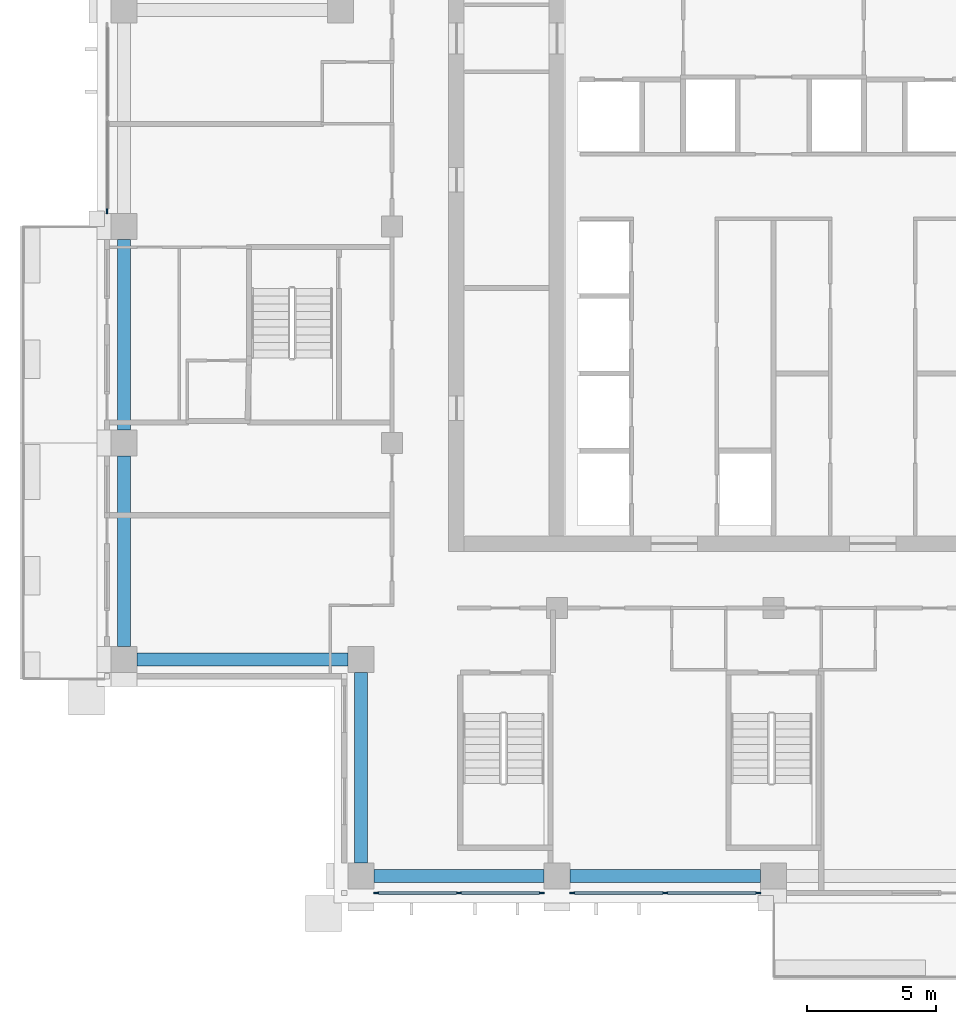
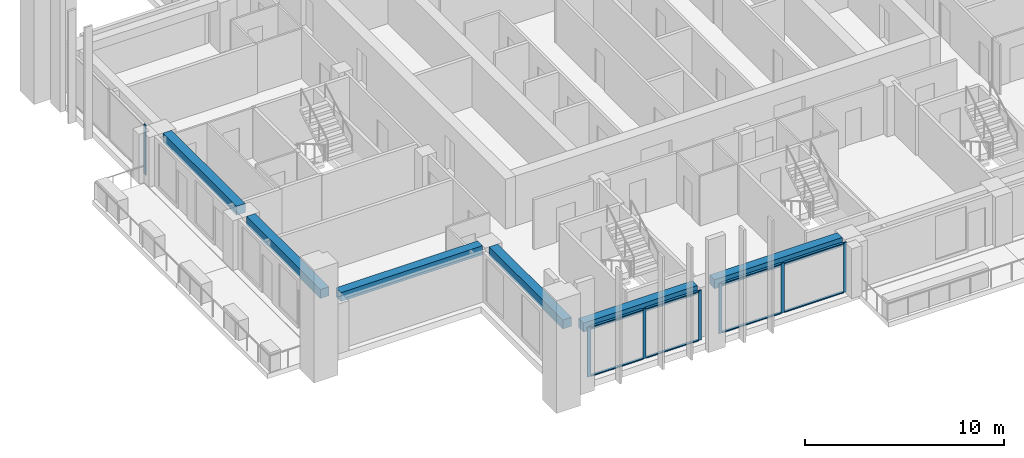
# One storey, part 2 of 18: 15 members, 6 beams, 3 elements without a shape of their own.
"""IFC4 building model written with IfcOpenShell, lengths in metres."""

from ifc_helpers import new_model, si_unit, direction, frame, origin, origin_2d, place, context, subcontext, project, spatial, rectangle, extrude, material, material_profile, profile_set, type_object, element, aggregate, save


model = new_model("IFC4")

# Units and contexts
model_context = context("Model", 3, precision=1e-05, world=origin(), true_north=direction((0.0, 1.0)))
body_context = subcontext(model_context, "Body", "Model", "MODEL_VIEW")
ifc_project = project(units=[si_unit("LENGTHUNIT", "METRE"), si_unit("AREAUNIT", "SQUARE_METRE"), si_unit("VOLUMEUNIT", "CUBIC_METRE"), si_unit("PLANEANGLEUNIT", "RADIAN"), si_unit("MASSUNIT", "GRAM", prefix="KILO")], contexts=[model_context])

# Site, building, storey
site_placement = place(None, origin())
site = spatial("IfcSite", under=ifc_project, at=site_placement, CompositionType="ELEMENT")
building_placement = place(site_placement, origin())
building = spatial("IfcBuilding", under=site, at=building_placement, Name="Vermilion Ogive Tower", CompositionType="ELEMENT")
storey_placement = place(building_placement, frame((0.0, 0.0, 199.699951171875)))
storey = spatial("IfcBuildingStorey", under=building, at=storey_placement, Name="L52", CompositionType="ELEMENT", Elevation=199.699951171875)

# Curtain wall, members
ifc_material_1 = material(Name="Low-iron laminated glazing in aluminium frame", Category="aluminium")
curtain_wall_type = type_object("IfcCurtainWallType", Name="Curtain wall CW7", PredefinedType="NOTDEFINED", material=ifc_material_1)
curtain_wall_1_placement = place(storey_placement, origin())
curtain_wall_1 = element("IfcCurtainWall", 1, at=curtain_wall_1_placement, inside=storey, type_object=curtain_wall_type, Name="Glazed skin S1", PredefinedType="NOTDEFINED")
ifc_material_2 = material(Name="Aluminium mullion", Category="aluminium")
ifc_material_profile_1 = material_profile(ifc_material_2, rectangle(XDim=0.06005859375, YDim=0.179931640625, at=origin_2d()), Name="AL 60x180")
ifc_profile_set_1 = profile_set([ifc_material_profile_1], Name="Aluminium mullion")
member_type_1 = type_object("IfcMemberType", Name="CW7 mullion 60x180", PredefinedType="MULLION", material=ifc_profile_set_1)
member_1_placement = place(storey_placement, frame((-15.409912109375, -21.64990234375, 0.0), z_axis=(0.0, 0.0, 1.0), x_axis=(0.0, 1.0, 0.0)))
member_1 = element("IfcMember", 2, at=member_1_placement, type_object=member_type_1, Name="CW7-S1 mullion 1", PredefinedType="MULLION", context=body_context, shape_type="SweptSolid", body=[
    extrude(rectangle(XDim=0.06005859375, YDim=0.179931640625, at=origin_2d()), origin(), (0.0, 0.0, 1.0), 3.050048828125),
])
member_2_placement = place(storey_placement, frame((-12.199951171875, -21.64990234375, 0.0), z_axis=(0.0, 0.0, 1.0), x_axis=(0.0, 1.0, 0.0)))
member_2 = element("IfcMember", 3, at=member_2_placement, type_object=member_type_1, Name="CW7-S1 mullion 2", PredefinedType="MULLION", context=body_context, shape_type="SweptSolid", body=[
    extrude(rectangle(XDim=0.06005859375, YDim=0.179931640625, at=origin_2d()), origin(), (0.0, 0.0, 1.0), 3.050048828125),
])
member_3_placement = place(storey_placement, frame((-8.989990234375, -21.64990234375, 0.0), z_axis=(0.0, 0.0, 1.0), x_axis=(0.0, 1.0, 0.0)))
member_3 = element("IfcMember", 4, at=member_3_placement, type_object=member_type_1, Name="CW7-S1 mullion 3", PredefinedType="MULLION", context=body_context, shape_type="SweptSolid", body=[
    extrude(rectangle(XDim=0.06005859375, YDim=0.179931640625, at=origin_2d()), origin(), (0.0, 0.0, 1.0), 3.050048828125),
])

curtain_wall_2_placement = place(storey_placement, origin())
curtain_wall_2 = element("IfcCurtainWall", 5, at=curtain_wall_2_placement, inside=storey, type_object=curtain_wall_type, Name="Glazed skin S2", PredefinedType="NOTDEFINED")
member_4_placement = place(storey_placement, frame((-7.81005859375, -21.64990234375, 0.0), z_axis=(0.0, 0.0, 1.0), x_axis=(0.0, 1.0, 0.0)))
member_4 = element("IfcMember", 6, at=member_4_placement, type_object=member_type_1, Name="CW7-S2 mullion 1", PredefinedType="MULLION", context=body_context, shape_type="SweptSolid", body=[
    extrude(rectangle(XDim=0.06005859375, YDim=0.179931640625, at=origin_2d()), origin(), (0.0, 0.0, 1.0), 3.050048828125),
])
member_5_placement = place(storey_placement, frame((-4.199951171875, -21.64990234375, 0.0), z_axis=(0.0, 0.0, 1.0), x_axis=(0.0, 1.0, 0.0)))
member_5 = element("IfcMember", 7, at=member_5_placement, type_object=member_type_1, Name="CW7-S2 mullion 2", PredefinedType="MULLION", context=body_context, shape_type="SweptSolid", body=[
    extrude(rectangle(XDim=0.06005859375, YDim=0.179931640625, at=origin_2d()), origin(), (0.0, 0.0, 1.0), 3.050048828125),
])
member_6_placement = place(storey_placement, frame((-0.590087890625, -21.64990234375, 0.0), z_axis=(0.0, 0.0, 1.0), x_axis=(0.0, 1.0, 0.0)))
member_6 = element("IfcMember", 8, at=member_6_placement, type_object=member_type_1, Name="CW7-S2 mullion 3", PredefinedType="MULLION", context=body_context, shape_type="SweptSolid", body=[
    extrude(rectangle(XDim=0.06005859375, YDim=0.179931640625, at=origin_2d()), origin(), (0.0, 0.0, 1.0), 3.050048828125),
])

# Curtain wall, member
curtain_wall_3_placement = place(storey_placement, origin())
curtain_wall_3 = element("IfcCurtainWall", 9, at=curtain_wall_3_placement, inside=storey, type_object=curtain_wall_type, Name="Glazed skin W1", PredefinedType="NOTDEFINED")
member_7_placement = place(storey_placement, frame((-25.85009765625, 4.7900390625, 0.0), z_axis=(0.0, 0.0, 1.0), x_axis=(1.0, 0.0, 0.0)))
member_7 = element("IfcMember", 10, at=member_7_placement, type_object=member_type_1, Name="CW7-W1 mullion 3", PredefinedType="MULLION", context=body_context, shape_type="SweptSolid", body=[
    extrude(rectangle(XDim=0.06005859375, YDim=0.179931640625, at=origin_2d()), origin(), (0.0, 0.0, 1.0), 3.050048828125),
])
aggregate(curtain_wall_3, [member_7])

# Member
ifc_material_3 = material(Name="Aluminium transom", Category="aluminium")
ifc_material_profile_2 = material_profile(ifc_material_3, rectangle(XDim=0.139892578125, YDim=0.06005859375, at=origin_2d()), Name="AL 60x140")
ifc_profile_set_2 = profile_set([ifc_material_profile_2], Name="Aluminium transom")
member_type_2 = type_object("IfcMemberType", Name="CW7 transom 60x140", PredefinedType="USERDEFINED", material=ifc_profile_set_2)
member_8_placement = place(storey_placement, frame((-15.320068359375, -21.64990234375, 0.030029296875), z_axis=(1.0, 0.0, 0.0), x_axis=(0.0, 1.0, 0.0)))
member_8 = element("IfcMember", 11, at=member_8_placement, type_object=member_type_2, Name="CW7-S1 transom 1.1", ObjectType="TRANSOM", PredefinedType="USERDEFINED", context=body_context, shape_type="SweptSolid", body=[
    extrude(rectangle(XDim=0.139892578125, YDim=0.06005859375, at=origin_2d()), origin(), (0.0, 0.0, 1.0), 3.030029296875),
])

member_9_placement = place(storey_placement, frame((-15.320068359375, -21.64990234375, 3.02001953125), z_axis=(1.0, 0.0, 0.0), x_axis=(0.0, 1.0, 0.0)))
member_9 = element("IfcMember", 12, at=member_9_placement, type_object=member_type_2, Name="CW7-S1 transom 1.2", ObjectType="TRANSOM", PredefinedType="USERDEFINED", context=body_context, shape_type="SweptSolid", body=[
    extrude(rectangle(XDim=0.139892578125, YDim=0.06005859375, at=origin_2d()), origin(), (0.0, 0.0, 1.0), 3.030029296875),
])

member_10_placement = place(storey_placement, frame((-12.110107421875, -21.64990234375, 0.030029296875), z_axis=(1.0, 0.0, 0.0), x_axis=(0.0, 1.0, 0.0)))
member_10 = element("IfcMember", 13, at=member_10_placement, type_object=member_type_2, Name="CW7-S1 transom 2.1", ObjectType="TRANSOM", PredefinedType="USERDEFINED", context=body_context, shape_type="SweptSolid", body=[
    extrude(rectangle(XDim=0.139892578125, YDim=0.06005859375, at=origin_2d()), origin(), (0.0, 0.0, 1.0), 3.030029296875),
])

member_11_placement = place(storey_placement, frame((-12.110107421875, -21.64990234375, 3.02001953125), z_axis=(1.0, 0.0, 0.0), x_axis=(0.0, 1.0, 0.0)))
member_11 = element("IfcMember", 14, at=member_11_placement, type_object=member_type_2, Name="CW7-S1 transom 2.2", ObjectType="TRANSOM", PredefinedType="USERDEFINED", context=body_context, shape_type="SweptSolid", body=[
    extrude(rectangle(XDim=0.139892578125, YDim=0.06005859375, at=origin_2d()), origin(), (0.0, 0.0, 1.0), 3.030029296875),
])

aggregate(curtain_wall_1, [member_1, member_2, member_3, member_8, member_9, member_10, member_11])

member_12_placement = place(storey_placement, frame((-7.719970703125, -21.64990234375, 0.030029296875), z_axis=(1.0, 0.0, 0.0), x_axis=(0.0, 1.0, 0.0)))
member_12 = element("IfcMember", 15, at=member_12_placement, type_object=member_type_2, Name="CW7-S2 transom 1.1", ObjectType="TRANSOM", PredefinedType="USERDEFINED", context=body_context, shape_type="SweptSolid", body=[
    extrude(rectangle(XDim=0.139892578125, YDim=0.06005859375, at=origin_2d()), origin(), (0.0, 0.0, 1.0), 3.429931640625),
])

member_13_placement = place(storey_placement, frame((-7.719970703125, -21.64990234375, 3.02001953125), z_axis=(1.0, 0.0, 0.0), x_axis=(0.0, 1.0, 0.0)))
member_13 = element("IfcMember", 16, at=member_13_placement, type_object=member_type_2, Name="CW7-S2 transom 1.2", ObjectType="TRANSOM", PredefinedType="USERDEFINED", context=body_context, shape_type="SweptSolid", body=[
    extrude(rectangle(XDim=0.139892578125, YDim=0.06005859375, at=origin_2d()), origin(), (0.0, 0.0, 1.0), 3.429931640625),
])

member_14_placement = place(storey_placement, frame((-4.110107421875, -21.64990234375, 0.030029296875), z_axis=(1.0, 0.0, 0.0), x_axis=(0.0, 1.0, 0.0)))
member_14 = element("IfcMember", 17, at=member_14_placement, type_object=member_type_2, Name="CW7-S2 transom 2.1", ObjectType="TRANSOM", PredefinedType="USERDEFINED", context=body_context, shape_type="SweptSolid", body=[
    extrude(rectangle(XDim=0.139892578125, YDim=0.06005859375, at=origin_2d()), origin(), (0.0, 0.0, 1.0), 3.43017578125),
])

member_15_placement = place(storey_placement, frame((-4.110107421875, -21.64990234375, 3.02001953125), z_axis=(1.0, 0.0, 0.0), x_axis=(0.0, 1.0, 0.0)))
member_15 = element("IfcMember", 18, at=member_15_placement, type_object=member_type_2, Name="CW7-S2 transom 2.2", ObjectType="TRANSOM", PredefinedType="USERDEFINED", context=body_context, shape_type="SweptSolid", body=[
    extrude(rectangle(XDim=0.139892578125, YDim=0.06005859375, at=origin_2d()), origin(), (0.0, 0.0, 1.0), 3.43017578125),
])

aggregate(curtain_wall_2, [member_4, member_5, member_6, member_12, member_13, member_14, member_15])

# Beams
ifc_material_4 = material(Name="Concrete B45", Category="concrete")
ifc_material_profile_3 = material_profile(ifc_material_4, rectangle(XDim=0.5, YDim=0.550048828125, at=origin_2d()), Name="500 x 550")
ifc_profile_set_3 = profile_set([ifc_material_profile_3], Name="Concrete B45")
beam_type = type_object("IfcBeamType", Name="Edge beam 500 x 550 B45", PredefinedType="BEAM", material=ifc_profile_set_3)
beam_1_placement = place(storey_placement, frame((-15.5, -21.0, 2.775146484375), z_axis=(1.0, 0.0, 0.0), x_axis=(0.0, 1.0, 0.0)))
element("IfcBeam", 19, at=beam_1_placement, inside=storey, type_object=beam_type, Name="L52-EB-1", PredefinedType="BEAM", context=body_context, shape_type="SweptSolid", body=[
    extrude(rectangle(XDim=0.5, YDim=0.550048828125, at=origin_2d()), origin(), (0.0, 0.0, 1.0), 6.60009765625),
])
for number, where, z_axis, x_axis, name in (
    (20, (-7.89990234375, -21.0, 2.775146484375), (1.0, 0.0, 0.0), (0.0, 1.0, 0.0), "L52-EB-2"),
    (21, (-25.199951171875, 3.699951171875, 2.775146484375), (0.0, -1.0, 0.0), (1.0, 0.0, 0.0), "L52-EB-15"),
):
    element("IfcBeam", number, at=place(storey_placement, frame(where, z_axis=z_axis, x_axis=x_axis)), inside=storey, type_object=beam_type, Name=name, PredefinedType="BEAM", context=body_context, shape_type="SweptSolid", body=[
        extrude(rectangle(XDim=0.5, YDim=0.550048828125, at=origin_2d()), origin(), (0.0, 0.0, 1.0), 7.39990234375),
    ])
beam_2_placement = place(storey_placement, frame((-25.199951171875, -4.699951171875, 2.775146484375), z_axis=(0.0, -1.0, 0.0), x_axis=(1.0, 0.0, 0.0)))
element("IfcBeam", 22, at=beam_2_placement, inside=storey, type_object=beam_type, Name="L52-EB-16", PredefinedType="BEAM", context=body_context, shape_type="SweptSolid", body=[
    extrude(rectangle(XDim=0.5, YDim=0.550048828125, at=origin_2d()), origin(), (0.0, 0.0, 1.0), 7.400146484375),
])
beam_3_placement = place(storey_placement, frame((-24.699951171875, -12.60009765625, 2.775146484375), z_axis=(1.0, 0.0, 0.0), x_axis=(0.0, 1.0, 0.0)))
element("IfcBeam", 23, at=beam_3_placement, inside=storey, type_object=beam_type, Name="L52-EB-17", PredefinedType="BEAM", context=body_context, shape_type="SweptSolid", body=[
    extrude(rectangle(XDim=0.5, YDim=0.550048828125, at=origin_2d()), origin(), (0.0, 0.0, 1.0), 8.199951171875),
])
beam_4_placement = place(storey_placement, frame((-16.0, -13.10009765625, 2.775146484375), z_axis=(0.0, -1.0, 0.0), x_axis=(1.0, 0.0, 0.0)))
element("IfcBeam", 24, at=beam_4_placement, inside=storey, type_object=beam_type, Name="L52-EB-18", PredefinedType="BEAM", context=body_context, shape_type="SweptSolid", body=[
    extrude(rectangle(XDim=0.5, YDim=0.550048828125, at=origin_2d()), origin(), (0.0, 0.0, 1.0), 7.39990234375),
])

save(model, "model.ifc")
